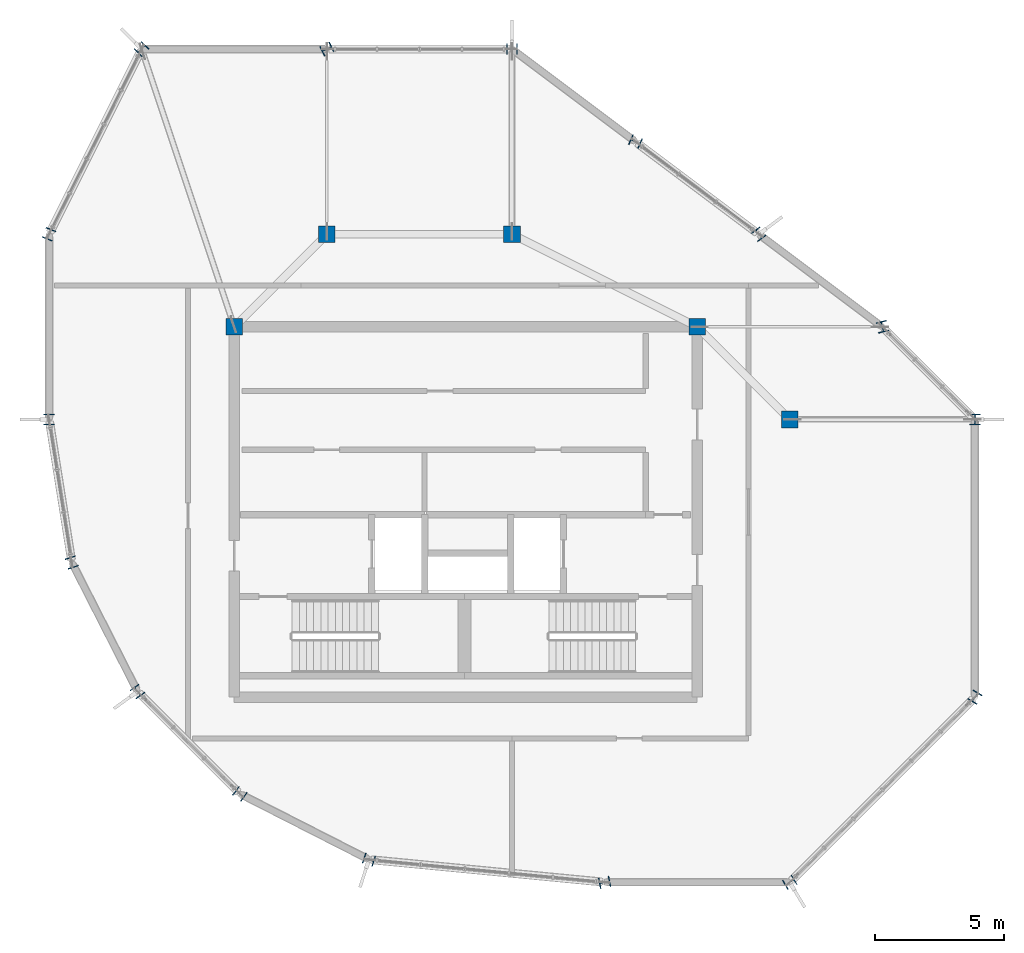
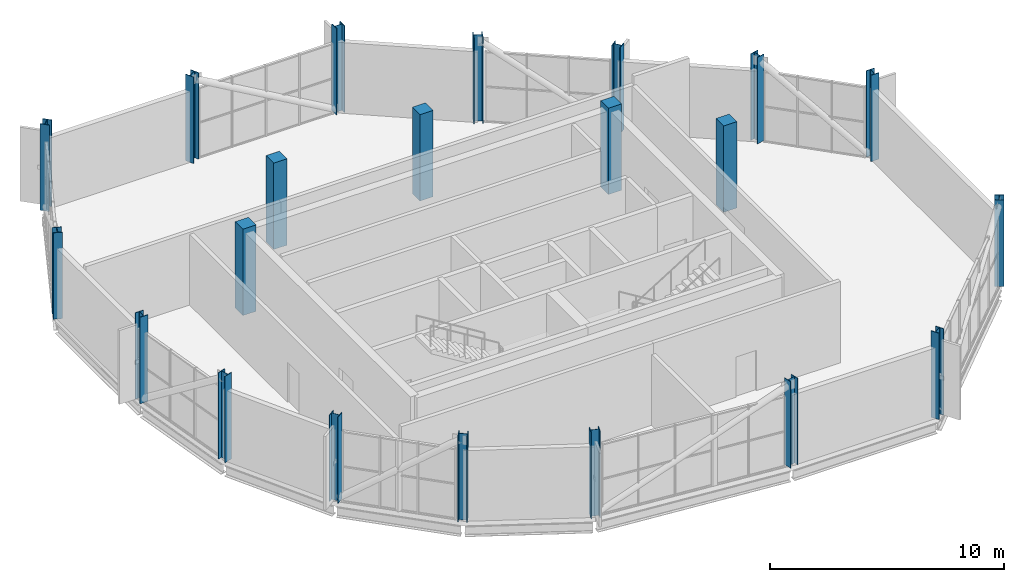
# One storey, part 1 of 22: 21 columns.
"""IFC4 building model written with IfcOpenShell, lengths in metres."""

from ifc_helpers import new_model, si_unit, direction, frame, origin, origin_2d, place, context, subcontext, project, spatial, rectangle, i_section, extrude, material, material_profile, profile_set, type_object, element, save


model = new_model("IFC4")

# Units and contexts
model_context = context("Model", 3, precision=1e-05, world=origin(), true_north=direction((0.0, 1.0)))
body_context = subcontext(model_context, "Body", "Model", "MODEL_VIEW")
ifc_project = project(units=[si_unit("LENGTHUNIT", "METRE"), si_unit("AREAUNIT", "SQUARE_METRE"), si_unit("VOLUMEUNIT", "CUBIC_METRE"), si_unit("PLANEANGLEUNIT", "RADIAN"), si_unit("MASSUNIT", "GRAM", prefix="KILO")], contexts=[model_context])

# Site, building, storey
site_placement = place(None, origin())
site = spatial("IfcSite", under=ifc_project, at=site_placement, CompositionType="ELEMENT")
building_placement = place(site_placement, origin())
building = spatial("IfcBuilding", under=site, at=building_placement, Name="Solnavia Interchange Tower", CompositionType="ELEMENT")
storey_placement = place(building_placement, frame((0.0, 0.0, 308.699951171875)))
storey = spatial("IfcBuildingStorey", under=building, at=storey_placement, Name="C02", CompositionType="ELEMENT", Elevation=308.699951171875)

# Columns
ifc_material_1 = material(Name="Concrete C50/60", Category="concrete")
ifc_material_profile_1 = material_profile(ifc_material_1, rectangle(XDim=0.64990234375, YDim=0.64990234375, at=origin_2d()), Name="RC 650x650")
ifc_profile_set_1 = profile_set([ifc_material_profile_1], Name="Concrete C50/60")
column_type_1 = type_object("IfcColumnType", Name="Col-RC-650x650", PredefinedType="COLUMN", material=ifc_profile_set_1)
for number, where, z_axis, x_axis, name in (
    (1, (36.0, 21.60009765625, 0.0), (0.0, 0.0, 1.0), (1.0, 0.0, 0.0), "COL-C02-IN01 Crown inner plant column"),
    (2, (32.39990234375, 25.199951171875, 0.0), (0.0, 0.0, 1.0), (1.0, 0.0, 0.0), "COL-C02-IN02 Crown inner plant column"),
    (3, (25.199951171875, 28.800048828125, 0.0), (0.0, 0.0, 1.0), (1.0, 0.0, 0.0), "COL-C02-IN03 Crown inner plant column"),
    (4, (18.0, 28.800048828125, 0.0), (0.0, 0.0, 1.0), (1.0, 0.0, 0.0), "COL-C02-IN04 Crown inner plant column"),
    (5, (14.39990234375, 25.199951171875, 0.0), (0.0, 0.0, 1.0), (1.0, 0.0, 0.0), "COL-C02-IN05 Crown inner plant column"),
):
    element("IfcColumn", number, at=place(storey_placement, frame(where, z_axis=z_axis, x_axis=x_axis)), inside=storey, type_object=column_type_1, Name=name, PredefinedType="COLUMN", context=body_context, shape_type="SweptSolid", body=[
        extrude(rectangle(XDim=0.64990234375, YDim=0.64990234375, at=origin_2d()), origin(), (0.0, 0.0, 1.0), 4.5),
    ])
ifc_material_2 = material(Name="Steel S460", Category="steel")
ifc_material_profile_2 = material_profile(ifc_material_2, i_section(OverallWidth=0.405029296875, OverallDepth=0.4169921875, WebThickness=0.01806640625, FlangeThickness=0.028564453125, FilletRadius=0.014892578125, at=origin_2d()), Name="HD 400x262")
ifc_profile_set_2 = profile_set([ifc_material_profile_2], Name="Steel S460")
column_type_2 = type_object("IfcColumnType", Name="CrownFrame-Col-HD400x262", PredefinedType="COLUMN", material=ifc_profile_set_2)
for number, where, z_axis, x_axis, name in (
    (6, (43.199951171875, 21.60009765625, 0.0), (0.0, 0.0, 1.0), (1.0, 0.0, 0.0), "COL-C02-CF01 CROWN FRAME ring column"),
    (7, (39.60009765625, 25.199951171875, 0.0), (0.0, 0.0, 1.0), (0.97012659649, 0.242599230795, 0.0), "COL-C02-CF02 CROWN FRAME ring column"),
    (8, (34.800048828125, 28.800048828125, 0.0), (0.0, 0.0, 1.0), (0.799998928149, 0.600001429133, 0.0), "COL-C02-CF03 CROWN FRAME ring column"),
    (9, (30.0, 32.39990234375, 0.0), (0.0, 0.0, 1.0), (0.406098768964, 0.913829190738, 0.0), "COL-C02-CF04 CROWN FRAME ring column"),
    (10, (25.199951171875, 36.0, 0.0), (0.0, 0.0, 1.0), (0.0, 1.0, 0.0), "COL-C02-CF05 CROWN FRAME ring column"),
    (11, (18.0, 36.0, 0.0), (0.0, 0.0, 1.0), (-0.447290848419, 0.89438856037, 0.0), "COL-C02-CF06 CROWN FRAME ring column"),
    (12, (10.800048828125, 36.0, 0.0), (0.0, 0.0, 1.0), (-0.707106781187, 0.707106781187, 0.0), "COL-C02-CF07 CROWN FRAME ring column"),
    (13, (7.199951171875, 28.800048828125, 0.0), (0.0, 0.0, 1.0), (-0.928485826881, 0.37136783555, 0.0), "COL-C02-CF08 CROWN FRAME ring column"),
    (14, (7.199951171875, 21.60009765625, 0.0), (0.0, 0.0, 1.0), (-1.0, 0.0, 0.0), "COL-C02-CF09 CROWN FRAME ring column"),
    (15, (8.0810546875, 16.0380859375, 0.0), (0.0, 0.0, 1.0), (-0.951056516295, -0.309016994375, 0.0), "COL-C02-CF10 CROWN FRAME ring column"),
    (16, (10.637939453125, 11.02001953125, 0.0), (0.0, 0.0, 1.0), (-0.809016994375, -0.587785252292, 0.0), "COL-C02-CF11 CROWN FRAME ring column"),
    (17, (14.6201171875, 7.0380859375, 0.0), (0.0, 0.0, 1.0), (-0.587785252292, -0.809016994375, 0.0), "COL-C02-CF12 CROWN FRAME ring column"),
    (18, (19.637939453125, 4.48095703125, 0.0), (0.0, 0.0, 1.0), (-0.309016994375, -0.951056516295, 0.0), "COL-C02-CF13 CROWN FRAME ring column"),
    (19, (28.800048828125, 3.60009765625, 0.0), (0.0, 0.0, 1.0), (0.196117290802, -0.980580444557, 0.0), "COL-C02-CF14 CROWN FRAME ring column"),
    (20, (36.0, 3.60009765625, 0.0), (0.0, 0.0, 1.0), (0.514439533782, -0.857526656194, 0.0), "COL-C02-CF15 CROWN FRAME ring column"),
    (21, (43.199951171875, 10.800048828125, 0.0), (0.0, 0.0, 1.0), (0.857526656194, -0.514439533782, 0.0), "COL-C02-CF16 CROWN FRAME ring column"),
):
    element("IfcColumn", number, at=place(storey_placement, frame(where, z_axis=z_axis, x_axis=x_axis)), inside=storey, type_object=column_type_2, Name=name, PredefinedType="COLUMN", context=body_context, shape_type="SweptSolid", body=[
        extrude(i_section(OverallWidth=0.405029296875, OverallDepth=0.4169921875, WebThickness=0.01806640625, FlangeThickness=0.028564453125, FilletRadius=0.014892578125, at=origin_2d()), origin(), (0.0, 0.0, 1.0), 4.5),
    ])

save(model, "model.ifc")
